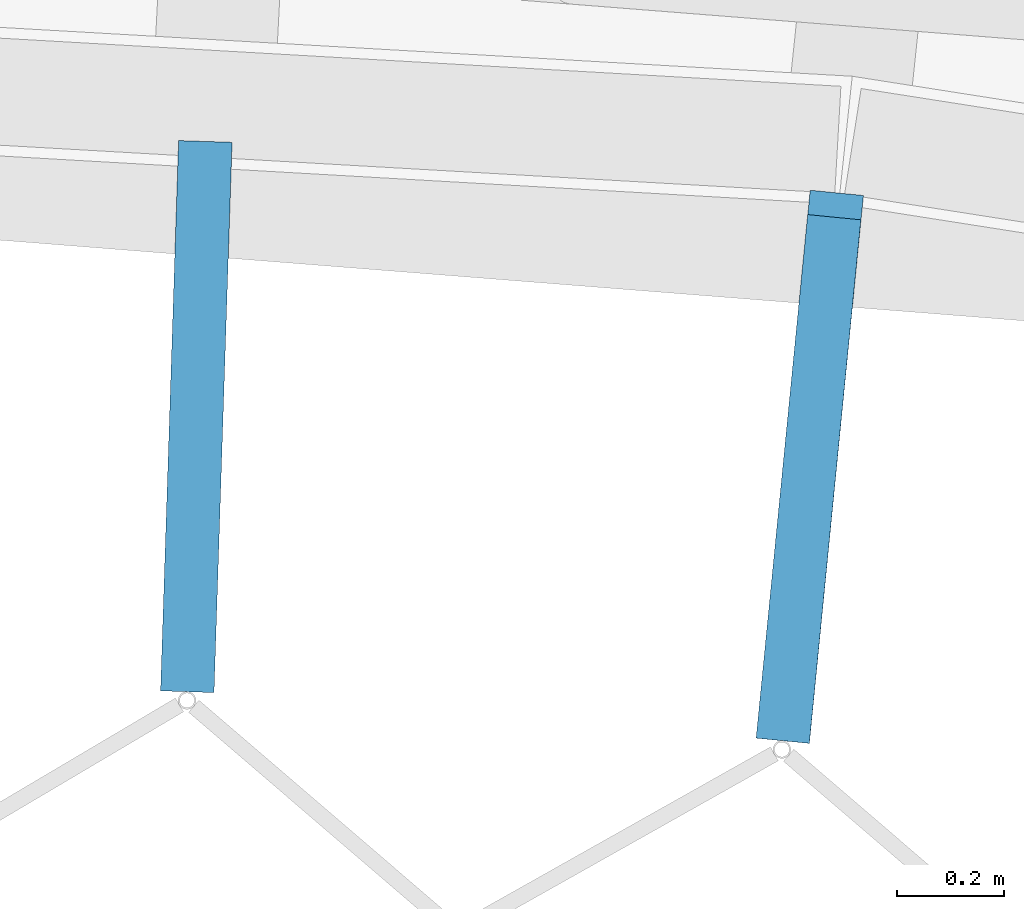
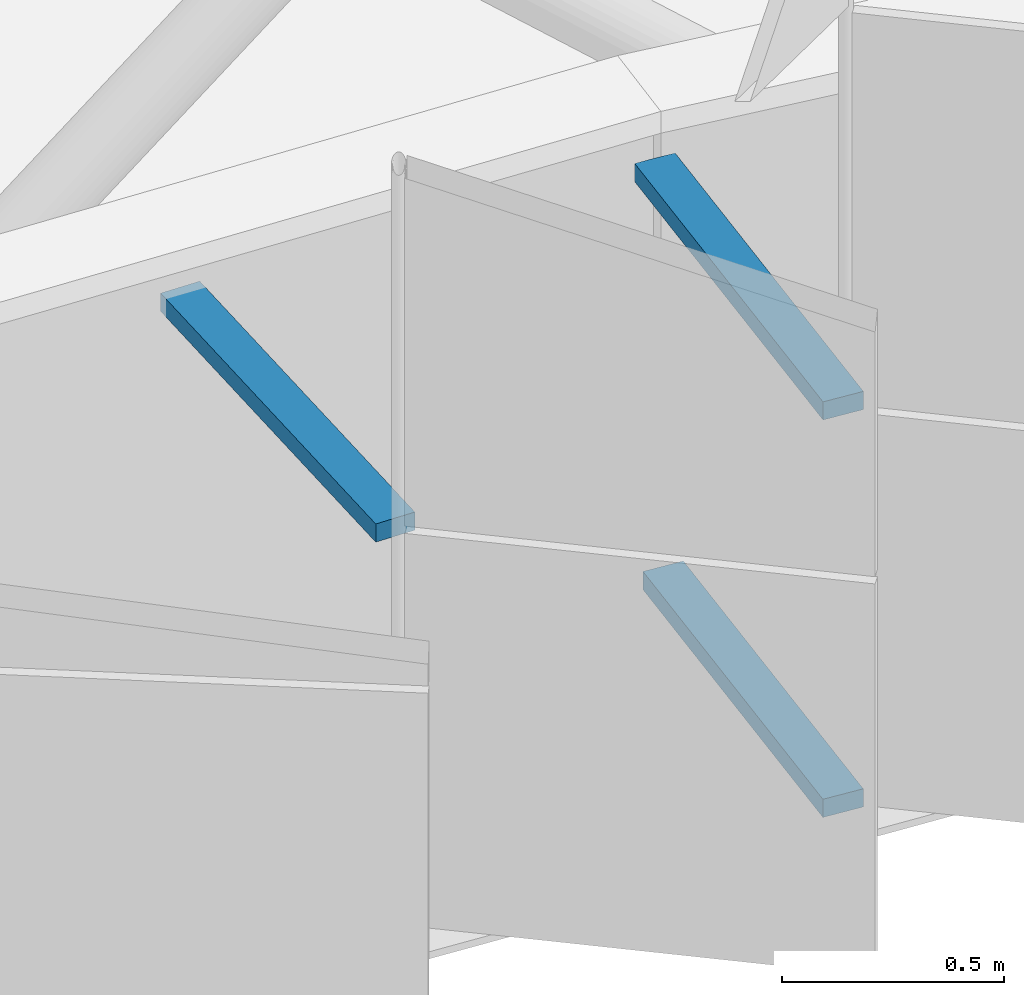
# One storey, part 241 of 483: 3 discrete accessories.
"""IFC4 building model written with IfcOpenShell, lengths in metres."""

from ifc_helpers import new_model, si_unit, direction, frame, origin, origin_2d, place, context, subcontext, project, spatial, rectangle, extrude, material, type_object, element, save


model = new_model("IFC4")

# Units and contexts
model_context = context("Model", 3, precision=1e-05, world=origin(), true_north=direction((0.0, 1.0)))
body_context = subcontext(model_context, "Body", "Model", "MODEL_VIEW")
ifc_project = project(units=[si_unit("LENGTHUNIT", "METRE"), si_unit("AREAUNIT", "SQUARE_METRE"), si_unit("VOLUMEUNIT", "CUBIC_METRE"), si_unit("PLANEANGLEUNIT", "RADIAN"), si_unit("MASSUNIT", "GRAM", prefix="KILO")], contexts=[model_context])

# Site, building, storey
site_placement = place(None, origin())
site = spatial("IfcSite", under=ifc_project, at=site_placement, CompositionType="ELEMENT")
building_placement = place(site_placement, origin())
building = spatial("IfcBuilding", under=site, at=building_placement, Name="Parallax Yard Mobility Hub", CompositionType="ELEMENT")
storey_placement = place(building_placement, frame((0.0, 0.0, 13.199951171875)))
storey = spatial("IfcBuildingStorey", under=building, at=storey_placement, Name="L04", CompositionType="ELEMENT", Elevation=13.199951171875)

# Discrete accessories
ifc_material = material(Name="Steel ASTM A36, hot-dip galvanised", Category="steel")
discrete_accessory_type = type_object("IfcDiscreteAccessoryType", Name="Hinge bracket plate 100x50", PredefinedType="BRACKET", material=ifc_material)
discrete_accessory_1_placement = place(storey_placement, frame((173.65185546875, 111.993408203125, 1.06982421875), z_axis=(0.0, 0.0, 1.0), x_axis=(-0.032719082822, -0.999464587476, 0.0)))
element("IfcDiscreteAccessory", 1, at=discrete_accessory_1_placement, inside=storey, type_object=discrete_accessory_type, Name="Hinge bracket plate bay 18.2 level L04", PredefinedType="BRACKET", context=body_context, shape_type="SweptSolid", body=[
    extrude(rectangle(XDim=1.030029296875, YDim=0.10009765625, at=origin_2d()), origin(), (0.0, 0.0, 1.0), 0.050048828125),
])
discrete_accessory_2_placement = place(storey_placement, frame((174.797119140625, 111.876708984375, -0.02490234375), z_axis=(0.0, 0.0, 1.0), x_axis=(-0.09801714033, -0.995184726672, 0.0)))
element("IfcDiscreteAccessory", 2, at=discrete_accessory_2_placement, inside=storey, type_object=discrete_accessory_type, Name="Hinge bracket plate bay 18.3 level L04", PredefinedType="BRACKET", context=body_context, shape_type="SweptSolid", body=[
    extrude(rectangle(XDim=0.984130859375, YDim=0.10009765625, at=origin_2d()), origin(), (0.0, 0.0, 1.0), 0.050048828125),
])
discrete_accessory_3_placement = place(storey_placement, frame((174.799560546875, 111.8994140625, 1.06982421875), z_axis=(0.0, 0.0, 1.0), x_axis=(-0.09801714033, -0.995184726672, 0.0)))
element("IfcDiscreteAccessory", 3, at=discrete_accessory_3_placement, inside=storey, type_object=discrete_accessory_type, Name="Hinge bracket plate bay 18.3 level L04", PredefinedType="BRACKET", context=body_context, shape_type="SweptSolid", body=[
    extrude(rectangle(XDim=1.030029296875, YDim=0.10009765625, at=origin_2d()), origin(), (0.0, 0.0, 1.0), 0.050048828125),
])

save(model, "model.ifc")
